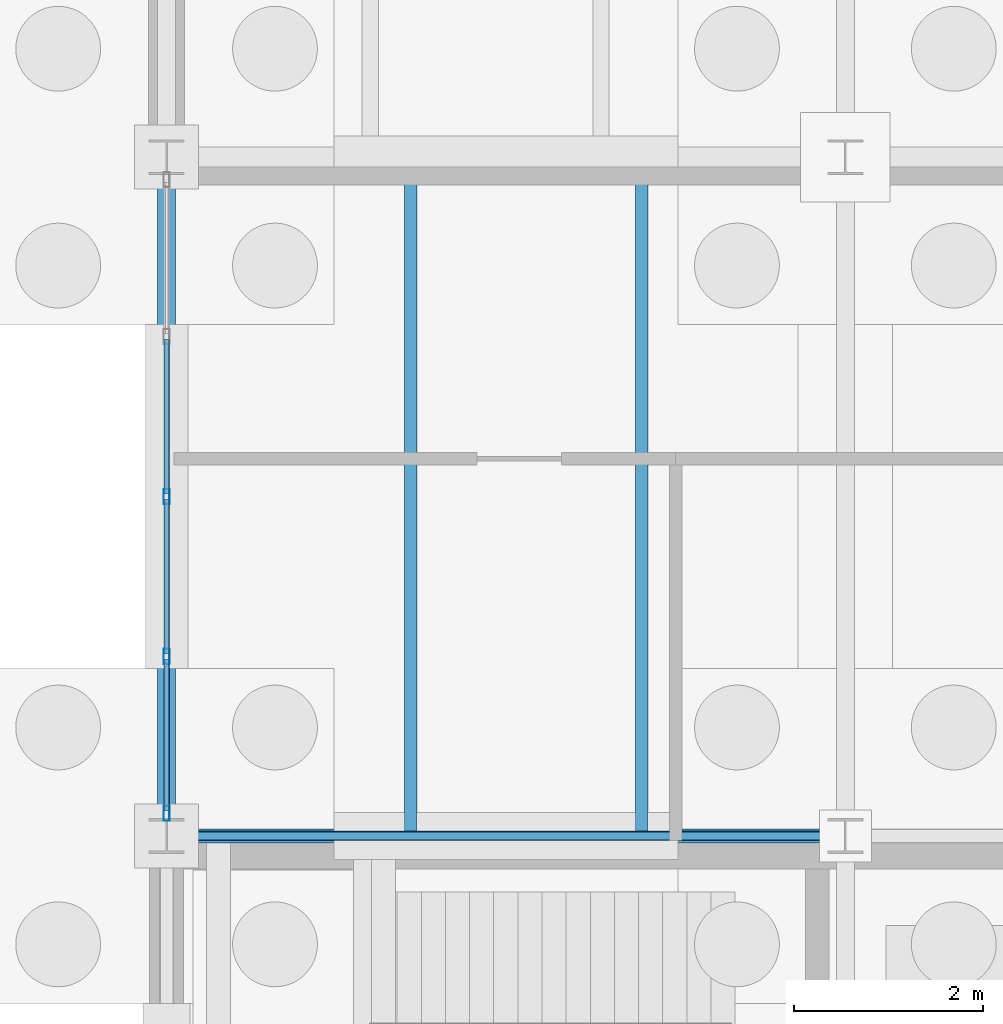
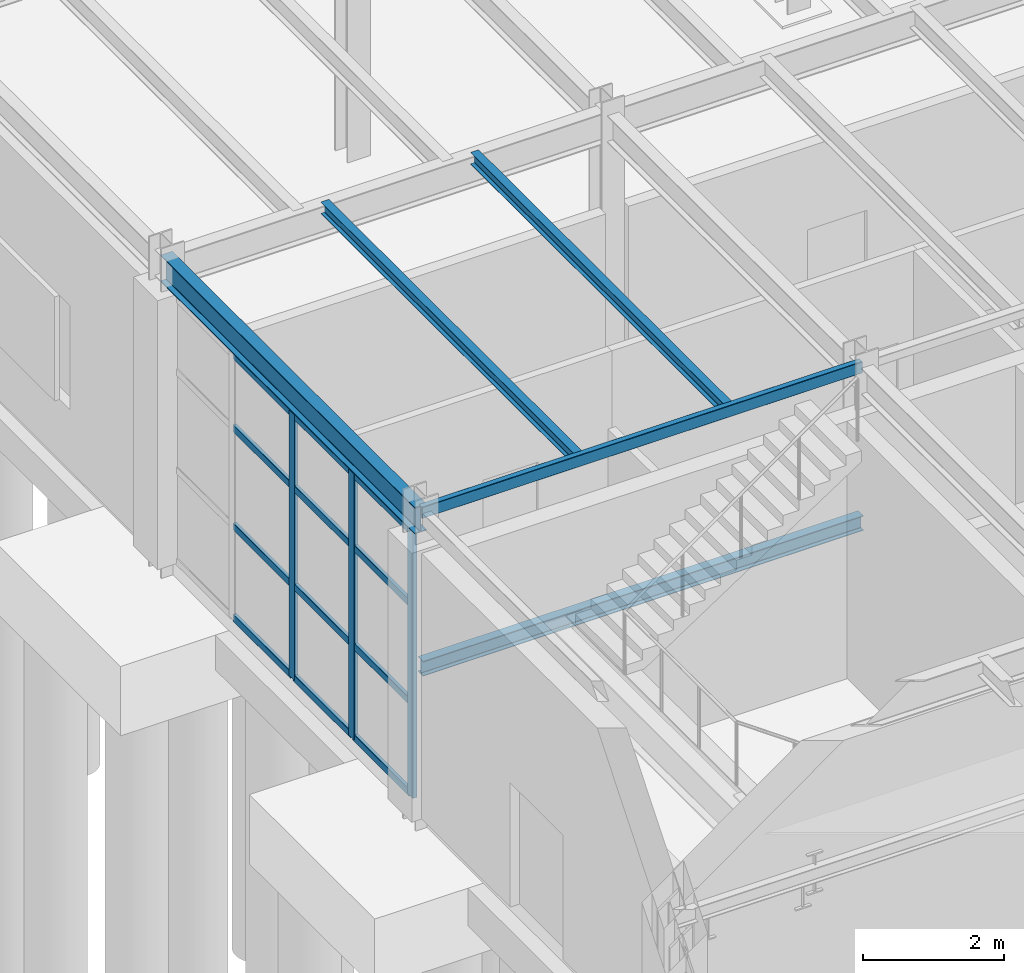
# One storey, part 61 of 293: 15 members, 5 beams, 1 element without a shape of its own.
"""IFC4 building model written with IfcOpenShell, lengths in metres."""

from ifc_helpers import new_model, si_unit, direction, frame, origin, origin_2d, place, context, subcontext, project, spatial, hollow_rectangle, i_section, extrude, material, layer, layer_set, material_profile, profile_set, type_object, element, aggregate, save


model = new_model("IFC4")

# Units and contexts
model_context = context("Model", 3, precision=1e-05, world=origin(), true_north=direction((0.0, 1.0)))
body_context = subcontext(model_context, "Body", "Model", "MODEL_VIEW")
ifc_project = project(units=[si_unit("LENGTHUNIT", "METRE"), si_unit("AREAUNIT", "SQUARE_METRE"), si_unit("VOLUMEUNIT", "CUBIC_METRE"), si_unit("PLANEANGLEUNIT", "RADIAN"), si_unit("MASSUNIT", "GRAM", prefix="KILO")], contexts=[model_context])

# Site, building, storey
site_placement = place(None, origin())
site = spatial("IfcSite", under=ifc_project, at=site_placement, CompositionType="ELEMENT")
building_placement = place(site_placement, origin())
building = spatial("IfcBuilding", under=site, at=building_placement, Name="Kemerveld Promenade Tramway Depot", CompositionType="ELEMENT")
storey_placement = place(building_placement, origin())
storey = spatial("IfcBuildingStorey", under=building, at=storey_placement, Name="L00", CompositionType="ELEMENT", Elevation=0.0)

# Beams
ifc_material_1 = material(Name="Steel S355", Category="steel")
ifc_material_profile_1 = material_profile(ifc_material_1, i_section(OverallWidth=0.19140625, OverallDepth=0.4599609375, WebThickness=0.010009765625, FlangeThickness=0.01611328125, FilletRadius=0.01025390625, at=origin_2d()), Name="457x191x82 UB")
ifc_profile_set_1 = profile_set([ifc_material_profile_1], Name="Steel S355")
beam_type_1 = type_object("IfcBeamType", Name="BM-G06", PredefinedType="BEAM", material=ifc_profile_set_1)
beam_1_placement = place(storey_placement, frame((0.0, 50.39990234375, 4.919921875), z_axis=(0.0, 1.0, 0.0), x_axis=(-1.0, 0.0, 0.0)))
element("IfcBeam", 1, at=beam_1_placement, inside=storey, type_object=beam_type_1, Name="BMY-L00-01-H-J", PredefinedType="BEAM", context=body_context, shape_type="SweptSolid", body=[
    extrude(i_section(OverallWidth=0.19140625, OverallDepth=0.4599609375, WebThickness=0.010009765625, FlangeThickness=0.01611328125, FilletRadius=0.01025390625, at=origin_2d()), origin(), (0.0, 0.0, 1.0), 7.2001953125),
])
ifc_material_profile_2 = material_profile(ifc_material_1, i_section(OverallWidth=0.146484375, OverallDepth=0.256103515625, WebThickness=0.00634765625, FlangeThickness=0.010986328125, FilletRadius=0.007568359375, at=origin_2d()), Name="254x146x37 UB")
ifc_profile_set_2 = profile_set([ifc_material_profile_2], Name="Steel S355")
beam_type_2 = type_object("IfcBeamType", Name="BM-J02", PredefinedType="JOIST", material=ifc_profile_set_2)
beam_2_placement = place(storey_placement, frame((0.0, 50.39990234375, 2.3720703125), z_axis=(1.0, 0.0, 0.0), x_axis=(0.0, 1.0, 0.0)))
element("IfcBeam", 2, at=beam_2_placement, inside=storey, type_object=beam_type_2, Name="BM-HLY-ST-02-L00-N", PredefinedType="JOIST", context=body_context, shape_type="SweptSolid", body=[
    extrude(i_section(OverallWidth=0.146484375, OverallDepth=0.256103515625, WebThickness=0.00634765625, FlangeThickness=0.010986328125, FilletRadius=0.007568359375, at=origin_2d()), origin(), (0.0, 0.0, 1.0), 7.199951171875),
])
ifc_material_profile_3 = material_profile(ifc_material_1, i_section(OverallWidth=0.13330078125, OverallDepth=0.203125, WebThickness=0.005615234375, FlangeThickness=0.0078125, FilletRadius=0.007568359375, at=origin_2d()), Name="203x133x25 UB")
ifc_profile_set_3 = profile_set([ifc_material_profile_3], Name="Steel S355")
beam_type_3 = type_object("IfcBeamType", Name="BM-J03", PredefinedType="JOIST", material=ifc_profile_set_3)
for number, where, z_axis, x_axis, name in (
    (3, (2.592041015625, 50.39990234375, 5.04833984375), (0.0, 1.0, 0.0), (-1.0, 0.0, 0.0), "JST-L00-01-H-1"),
    (4, (5.0400390625, 50.39990234375, 5.04833984375), (0.0, 1.0, 0.0), (-1.0, 0.0, 0.0), "JST-L00-01-H-2"),
):
    element("IfcBeam", number, at=place(storey_placement, frame(where, z_axis=z_axis, x_axis=x_axis)), inside=storey, type_object=beam_type_3, Name=name, PredefinedType="JOIST", context=body_context, shape_type="SweptSolid", body=[
        extrude(i_section(OverallWidth=0.13330078125, OverallDepth=0.203125, WebThickness=0.005615234375, FlangeThickness=0.0078125, FilletRadius=0.007568359375, at=origin_2d()), origin(), (0.0, 0.0, 1.0), 7.2001953125),
    ])
ifc_material_profile_4 = material_profile(ifc_material_1, hollow_rectangle(XDim=0.10009765625, YDim=0.199951171875, WallThickness=0.008056640625, InnerFilletRadius=0.00390625, OuterFilletRadius=0.011962890625, at=origin_2d()), Name="200x100x8.0 RHS")
ifc_profile_set_4 = profile_set([ifc_material_profile_4], Name="Steel S355")
beam_type_4 = type_object("IfcBeamType", Name="BM-SP3", PredefinedType="SPANDREL", material=ifc_profile_set_4)
beam_3_placement = place(storey_placement, frame((0.0, 50.39990234375, 5.050048828125), z_axis=(1.0, 0.0, 0.0), x_axis=(0.0, 1.0, 0.0)))
element("IfcBeam", 5, at=beam_3_placement, inside=storey, type_object=beam_type_4, Name="BMX-L00-01-02-H", PredefinedType="SPANDREL", context=body_context, shape_type="SweptSolid", body=[
    extrude(hollow_rectangle(XDim=0.10009765625, YDim=0.199951171875, WallThickness=0.008056640625, InnerFilletRadius=0.00390625, OuterFilletRadius=0.011962890625, at=origin_2d()), origin(), (0.0, 0.0, 1.0), 7.199951171875),
])

# Curtain wall, members
ifc_material_2 = material(Name="Bronze anodised aluminium and solar glass", Category="aluminium")
ifc_layer = layer(ifc_material_2, 0.159912109375)
ifc_layer_set = layer_set([ifc_layer], Name="CW-SYS-11")
curtain_wall_type = type_object("IfcCurtainWallType", Name="CW-SYS-11", PredefinedType="USERDEFINED", material=ifc_layer_set)
curtain_wall_placement = place(storey_placement, origin())
curtain_wall = element("IfcCurtainWall", 6, at=curtain_wall_placement, inside=storey, type_object=curtain_wall_type, Name="CW-L00-V5W-08", ObjectType="GLAZED_CURTAIN_WALL", PredefinedType="USERDEFINED")
ifc_material_3 = material(Name="Bronze anodised aluminium", Category="aluminium")
ifc_material_profile_5 = material_profile(ifc_material_3, hollow_rectangle(XDim=0.06494140625, YDim=0.159912109375, WallThickness=0.00390625, InnerFilletRadius=0.001953125, OuterFilletRadius=0.00390625, at=origin_2d()), Name="CW-MUL-160x65")
ifc_profile_set_5 = profile_set([ifc_material_profile_5], Name="Bronze anodised aluminium")
member_type_1 = type_object("IfcMemberType", Name="CW-MUL-A", PredefinedType="MULLION", material=ifc_profile_set_5)
member_1_placement = place(storey_placement, frame((0.0, 50.638916015625, 0.0), z_axis=(0.0, 0.0, 1.0), x_axis=(-1.0, 0.0, 0.0)))
member_1 = element("IfcMember", 7, at=member_1_placement, type_object=member_type_1, Name="CW11 mullion 1", PredefinedType="MULLION", context=body_context, shape_type="SweptSolid", body=[
    extrude(hollow_rectangle(XDim=0.06494140625, YDim=0.159912109375, WallThickness=0.00390625, InnerFilletRadius=0.001953125, OuterFilletRadius=0.00390625, at=origin_2d()), origin(), (0.0, 0.0, 1.0), 4.593505859375),
])
member_2_placement = place(storey_placement, frame((0.0, 52.30322265625, 0.0), z_axis=(0.0, 0.0, 1.0), x_axis=(-1.0, 0.0, 0.0)))
member_2 = element("IfcMember", 8, at=member_2_placement, type_object=member_type_1, Name="CW11 mullion 2", PredefinedType="MULLION", context=body_context, shape_type="SweptSolid", body=[
    extrude(hollow_rectangle(XDim=0.06494140625, YDim=0.159912109375, WallThickness=0.00390625, InnerFilletRadius=0.001953125, OuterFilletRadius=0.00390625, at=origin_2d()), origin(), (0.0, 0.0, 1.0), 4.593505859375),
])
member_3_placement = place(storey_placement, frame((0.0, 54.0, 0.0), z_axis=(0.0, 0.0, 1.0), x_axis=(-1.0, 0.0, 0.0)))
member_3 = element("IfcMember", 9, at=member_3_placement, type_object=member_type_1, Name="CW11 mullion 3", PredefinedType="MULLION", context=body_context, shape_type="SweptSolid", body=[
    extrude(hollow_rectangle(XDim=0.06494140625, YDim=0.159912109375, WallThickness=0.00390625, InnerFilletRadius=0.001953125, OuterFilletRadius=0.00390625, at=origin_2d()), origin(), (0.0, 0.0, 1.0), 4.593505859375),
])
ifc_material_profile_6 = material_profile(ifc_material_3, hollow_rectangle(XDim=0.06005859375, YDim=0.1201171875, WallThickness=0.00390625, InnerFilletRadius=0.001953125, OuterFilletRadius=0.00390625, at=origin_2d()), Name="CW-TRN-120x60")
ifc_profile_set_6 = profile_set([ifc_material_profile_6], Name="Bronze anodised aluminium")
member_type_2 = type_object("IfcMemberType", Name="CW-TRN-A", PredefinedType="USERDEFINED", material=ifc_profile_set_6)
member_4_placement = place(storey_placement, frame((0.0, 50.67138671875, 0.030029296875), z_axis=(0.0, 1.0, 0.0), x_axis=(-1.0, 0.0, 0.0)))
member_4 = element("IfcMember", 10, at=member_4_placement, type_object=member_type_2, Name="CW11 transom 1.1", ObjectType="TRANSOM", PredefinedType="USERDEFINED", context=body_context, shape_type="SweptSolid", body=[
    extrude(hollow_rectangle(XDim=0.06005859375, YDim=0.1201171875, WallThickness=0.00390625, InnerFilletRadius=0.001953125, OuterFilletRadius=0.00390625, at=origin_2d()), origin(), (0.0, 0.0, 1.0), 1.599365234375),
])
member_5_placement = place(storey_placement, frame((0.0, 50.67138671875, 1.60791015625), z_axis=(0.0, 1.0, 0.0), x_axis=(-1.0, 0.0, 0.0)))
member_5 = element("IfcMember", 11, at=member_5_placement, type_object=member_type_2, Name="CW11 transom 1.2", ObjectType="TRANSOM", PredefinedType="USERDEFINED", context=body_context, shape_type="SweptSolid", body=[
    extrude(hollow_rectangle(XDim=0.06005859375, YDim=0.1201171875, WallThickness=0.00390625, InnerFilletRadius=0.001953125, OuterFilletRadius=0.00390625, at=origin_2d()), origin(), (0.0, 0.0, 1.0), 1.599365234375),
])
member_6_placement = place(storey_placement, frame((0.0, 50.67138671875, 3.306884765625), z_axis=(0.0, 1.0, 0.0), x_axis=(-1.0, 0.0, 0.0)))
member_6 = element("IfcMember", 12, at=member_6_placement, type_object=member_type_2, Name="CW11 transom 1.3", ObjectType="TRANSOM", PredefinedType="USERDEFINED", context=body_context, shape_type="SweptSolid", body=[
    extrude(hollow_rectangle(XDim=0.06005859375, YDim=0.1201171875, WallThickness=0.00390625, InnerFilletRadius=0.001953125, OuterFilletRadius=0.00390625, at=origin_2d()), origin(), (0.0, 0.0, 1.0), 1.599365234375),
])
member_7_placement = place(storey_placement, frame((0.0, 50.67138671875, 4.5634765625), z_axis=(0.0, 1.0, 0.0), x_axis=(-1.0, 0.0, 0.0)))
member_7 = element("IfcMember", 13, at=member_7_placement, type_object=member_type_2, Name="CW11 transom 1.4", ObjectType="TRANSOM", PredefinedType="USERDEFINED", context=body_context, shape_type="SweptSolid", body=[
    extrude(hollow_rectangle(XDim=0.06005859375, YDim=0.1201171875, WallThickness=0.00390625, InnerFilletRadius=0.001953125, OuterFilletRadius=0.00390625, at=origin_2d()), origin(), (0.0, 0.0, 1.0), 1.599365234375),
])
member_8_placement = place(storey_placement, frame((0.0, 52.335693359375, 0.030029296875), z_axis=(0.0, 1.0, 0.0), x_axis=(-1.0, 0.0, 0.0)))
member_8 = element("IfcMember", 14, at=member_8_placement, type_object=member_type_2, Name="CW11 transom 2.1", ObjectType="TRANSOM", PredefinedType="USERDEFINED", context=body_context, shape_type="SweptSolid", body=[
    extrude(hollow_rectangle(XDim=0.06005859375, YDim=0.1201171875, WallThickness=0.00390625, InnerFilletRadius=0.001953125, OuterFilletRadius=0.00390625, at=origin_2d()), origin(), (0.0, 0.0, 1.0), 1.6318359375),
])
member_9_placement = place(storey_placement, frame((0.0, 52.335693359375, 1.60791015625), z_axis=(0.0, 1.0, 0.0), x_axis=(-1.0, 0.0, 0.0)))
member_9 = element("IfcMember", 15, at=member_9_placement, type_object=member_type_2, Name="CW11 transom 2.2", ObjectType="TRANSOM", PredefinedType="USERDEFINED", context=body_context, shape_type="SweptSolid", body=[
    extrude(hollow_rectangle(XDim=0.06005859375, YDim=0.1201171875, WallThickness=0.00390625, InnerFilletRadius=0.001953125, OuterFilletRadius=0.00390625, at=origin_2d()), origin(), (0.0, 0.0, 1.0), 1.6318359375),
])
member_10_placement = place(storey_placement, frame((0.0, 52.335693359375, 3.306884765625), z_axis=(0.0, 1.0, 0.0), x_axis=(-1.0, 0.0, 0.0)))
member_10 = element("IfcMember", 16, at=member_10_placement, type_object=member_type_2, Name="CW11 transom 2.3", ObjectType="TRANSOM", PredefinedType="USERDEFINED", context=body_context, shape_type="SweptSolid", body=[
    extrude(hollow_rectangle(XDim=0.06005859375, YDim=0.1201171875, WallThickness=0.00390625, InnerFilletRadius=0.001953125, OuterFilletRadius=0.00390625, at=origin_2d()), origin(), (0.0, 0.0, 1.0), 1.6318359375),
])
member_11_placement = place(storey_placement, frame((0.0, 52.335693359375, 4.5634765625), z_axis=(0.0, 1.0, 0.0), x_axis=(-1.0, 0.0, 0.0)))
member_11 = element("IfcMember", 17, at=member_11_placement, type_object=member_type_2, Name="CW11 transom 2.4", ObjectType="TRANSOM", PredefinedType="USERDEFINED", context=body_context, shape_type="SweptSolid", body=[
    extrude(hollow_rectangle(XDim=0.06005859375, YDim=0.1201171875, WallThickness=0.00390625, InnerFilletRadius=0.001953125, OuterFilletRadius=0.00390625, at=origin_2d()), origin(), (0.0, 0.0, 1.0), 1.6318359375),
])
member_12_placement = place(storey_placement, frame((0.0, 54.032470703125, 0.030029296875), z_axis=(0.0, 1.0, 0.0), x_axis=(-1.0, 0.0, 0.0)))
member_12 = element("IfcMember", 18, at=member_12_placement, type_object=member_type_2, Name="CW11 transom 3.1", ObjectType="TRANSOM", PredefinedType="USERDEFINED", context=body_context, shape_type="SweptSolid", body=[
    extrude(hollow_rectangle(XDim=0.06005859375, YDim=0.1201171875, WallThickness=0.00390625, InnerFilletRadius=0.001953125, OuterFilletRadius=0.00390625, at=origin_2d()), origin(), (0.0, 0.0, 1.0), 1.6318359375),
])
member_13_placement = place(storey_placement, frame((0.0, 54.032470703125, 1.60791015625), z_axis=(0.0, 1.0, 0.0), x_axis=(-1.0, 0.0, 0.0)))
member_13 = element("IfcMember", 19, at=member_13_placement, type_object=member_type_2, Name="CW11 transom 3.2", ObjectType="TRANSOM", PredefinedType="USERDEFINED", context=body_context, shape_type="SweptSolid", body=[
    extrude(hollow_rectangle(XDim=0.06005859375, YDim=0.1201171875, WallThickness=0.00390625, InnerFilletRadius=0.001953125, OuterFilletRadius=0.00390625, at=origin_2d()), origin(), (0.0, 0.0, 1.0), 1.6318359375),
])
member_14_placement = place(storey_placement, frame((0.0, 54.032470703125, 3.306884765625), z_axis=(0.0, 1.0, 0.0), x_axis=(-1.0, 0.0, 0.0)))
member_14 = element("IfcMember", 20, at=member_14_placement, type_object=member_type_2, Name="CW11 transom 3.3", ObjectType="TRANSOM", PredefinedType="USERDEFINED", context=body_context, shape_type="SweptSolid", body=[
    extrude(hollow_rectangle(XDim=0.06005859375, YDim=0.1201171875, WallThickness=0.00390625, InnerFilletRadius=0.001953125, OuterFilletRadius=0.00390625, at=origin_2d()), origin(), (0.0, 0.0, 1.0), 1.6318359375),
])
member_15_placement = place(storey_placement, frame((0.0, 54.032470703125, 4.5634765625), z_axis=(0.0, 1.0, 0.0), x_axis=(-1.0, 0.0, 0.0)))
member_15 = element("IfcMember", 21, at=member_15_placement, type_object=member_type_2, Name="CW11 transom 3.4", ObjectType="TRANSOM", PredefinedType="USERDEFINED", context=body_context, shape_type="SweptSolid", body=[
    extrude(hollow_rectangle(XDim=0.06005859375, YDim=0.1201171875, WallThickness=0.00390625, InnerFilletRadius=0.001953125, OuterFilletRadius=0.00390625, at=origin_2d()), origin(), (0.0, 0.0, 1.0), 1.6318359375),
])
aggregate(curtain_wall, [member_1, member_2, member_3, member_4, member_5, member_6, member_7, member_8, member_9, member_10, member_11, member_12, member_13, member_14, member_15])

save(model, "model.ifc")
